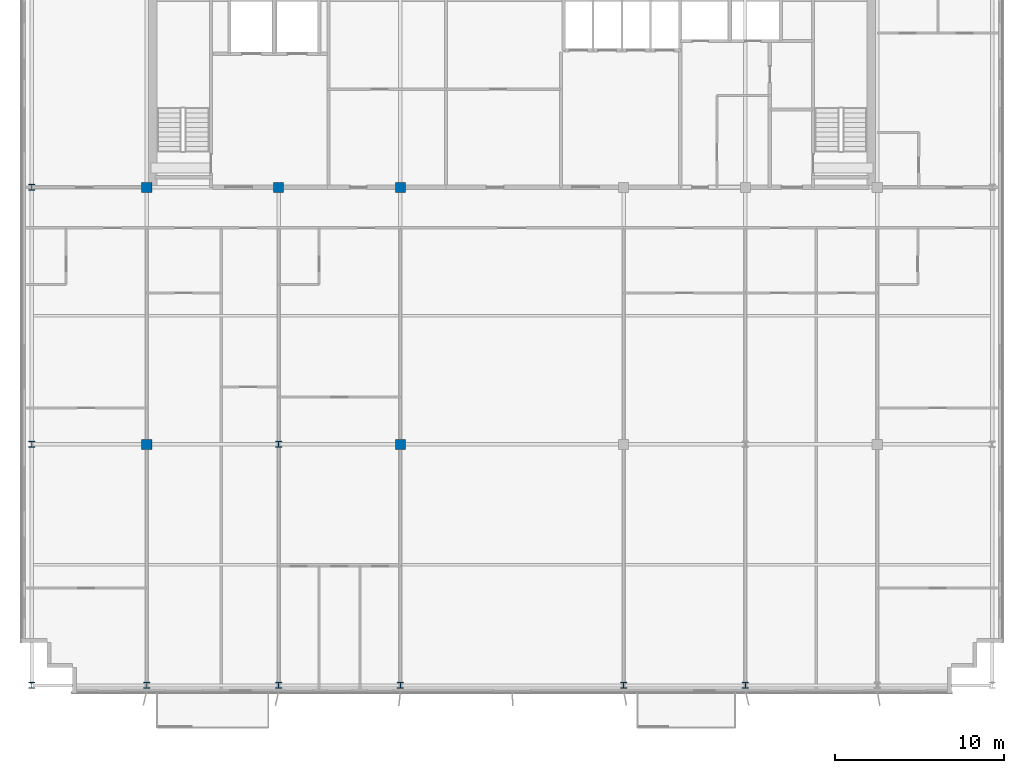
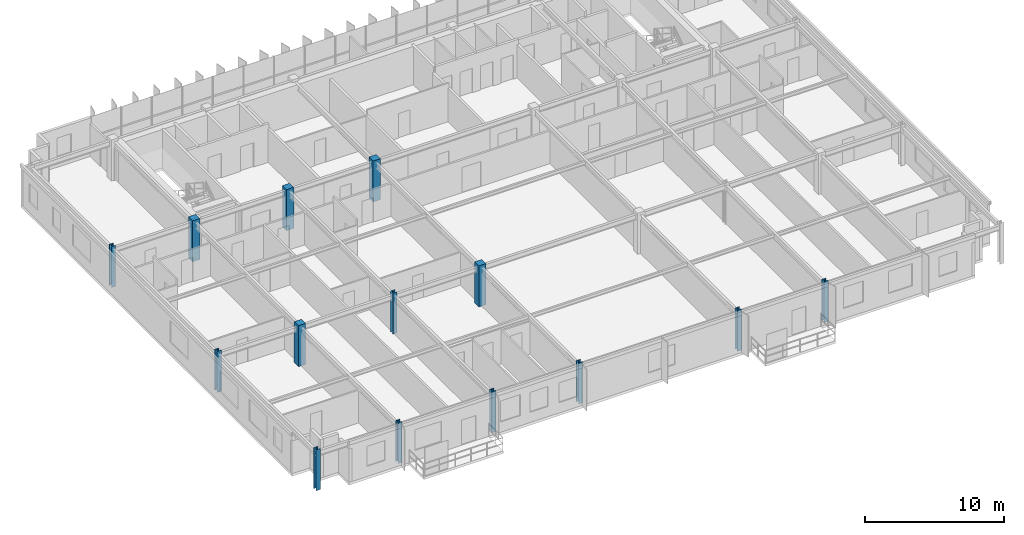
# One storey, part 1 of 22: 14 columns.
"""IFC4 building model written with IfcOpenShell, lengths in metres."""

import ifcopenshell
import ifcopenshell.guid

model = None  # the IFC model being written
_history = None  # IfcOwnerHistory: only IFC2X3 demands one
_inside = {}  # id of a spatial element -> (the spatial element, [elements in it])
_under = {}  # id of a project, library or spatial element -> (it, [spatial elements below it])
_declared = {}  # id of a project -> (the project, [libraries it declares])
_typed = {}  # id of a type object -> (the type object, [elements of that type])
_made_of = {}  # id of a material, layer set ... -> (it, [elements and type objects made of it])


def new_model(schema):
    """Start an empty IFC model of exactly this schema.

    Asked for "IFC4X3", IfcOpenShell would pick the latest addendum, in which some entities
    have other attributes; the version numbers below select the first issue.
    IFC2X3 requires an IfcOwnerHistory on every rooted entity: one is made here for all.
    """
    global model, _history
    if schema == "IFC4X3":
        model = ifcopenshell.file(schema_version=(4, 3, 0, 0))
    else:
        model = ifcopenshell.file(schema=schema)
    _inside.clear()
    _under.clear()
    _declared.clear()
    _typed.clear()
    _made_of.clear()
    _history = None
    if model.schema == "IFC2X3":
        org = make("IfcOrganization", Name="unknown")
        user = make(
            "IfcPersonAndOrganization",
            ThePerson=make("IfcPerson", FamilyName="unknown"),
            TheOrganization=org,
        )
        app = make(
            "IfcApplication",
            ApplicationDeveloper=org,
            Version="unknown",
            ApplicationFullName="unknown",
            ApplicationIdentifier="unknown",
        )
        _history = make(
            "IfcOwnerHistory",
            OwningUser=user,
            OwningApplication=app,
            ChangeAction="ADDED",
            CreationDate=0,
        )
    return model


def make(cls, **values):
    """One entity of the class cls with the attributes given. An attribute that is None is left unset."""
    return model.create_entity(
        cls, **{name: value for name, value in values.items() if value is not None}
    )


def rooted(cls, **values):
    """An entity with a GlobalId (a new one), such as an element, a storey or a relation."""
    return make(cls, GlobalId=ifcopenshell.guid.new(), OwnerHistory=_history, **values)


def si_unit(unit_type, name, prefix=None):
    """IfcSIUnit, for example si_unit("LENGTHUNIT", "METRE", prefix="MILLI")."""
    return make("IfcSIUnit", UnitType=unit_type, Prefix=prefix, Name=name)


def assignment(units):
    """IfcUnitAssignment: the units of a project."""
    return None if units is None else make("IfcUnitAssignment", Units=units)


def point(xyz):
    """IfcCartesianPoint."""
    return None if xyz is None else make("IfcCartesianPoint", Coordinates=xyz)


def direction(xyz):
    """IfcDirection."""
    return None if xyz is None else make("IfcDirection", DirectionRatios=xyz)


def frame(location, z_axis=None, x_axis=None):
    """IfcAxis2Placement3D, a coordinate frame: its origin and axes. An axis left out is left unset."""
    return make(
        "IfcAxis2Placement3D",
        Location=point(location),
        Axis=direction(z_axis),
        RefDirection=direction(x_axis),
    )


def frame_2d(location, x_axis=None):
    """IfcAxis2Placement2D, a coordinate frame in the plane: its origin and x axis."""
    return make(
        "IfcAxis2Placement2D", Location=point(location), RefDirection=direction(x_axis)
    )


def origin():
    """The frame at (0, 0, 0) with its axes left unset."""
    return frame((0.0, 0.0, 0.0))


def origin_2d():
    """The frame at (0, 0) in the plane with its x axis left unset."""
    return frame_2d((0.0, 0.0))


def place(relative_to, where):
    """IfcLocalPlacement: puts the frame where relative to a parent placement (None: the world)."""
    return make(
        "IfcLocalPlacement", PlacementRelTo=relative_to, RelativePlacement=where
    )


def context(
    kind, dimensions, precision=None, world=None, true_north=None, identifier=None
):
    """IfcGeometricRepresentationContext, for example the 3D "Model" context."""
    return make(
        "IfcGeometricRepresentationContext",
        ContextIdentifier=identifier,
        ContextType=kind,
        CoordinateSpaceDimension=dimensions,
        Precision=precision,
        WorldCoordinateSystem=world,
        TrueNorth=true_north,
    )


def subcontext(parent, identifier, kind, view, scale=None):
    """IfcGeometricRepresentationSubContext, for example "Body" below "Model"."""
    return make(
        "IfcGeometricRepresentationSubContext",
        ContextIdentifier=identifier,
        ContextType=kind,
        ParentContext=parent,
        TargetScale=scale,
        TargetView=view,
    )


def project(units=None, contexts=None):
    """IfcProject with its units and contexts."""
    return rooted(
        "IfcProject",
        Name="project",
        RepresentationContexts=contexts,
        UnitsInContext=assignment(units),
    )


def spatial(cls, under=None, at=None, **own):
    """A site, building, storey or space (cls), placed at a placement, below another one or the project."""
    s = rooted(cls, ObjectPlacement=at, **own)
    if under is not None:
        _under.setdefault(under.id(), (under, []))[1].append(s)
    return s


def profile(cls, at=None, kind="AREA", **sizes):
    """A parametric profile (cls). Its sizes go by their IFC names, for example OverallWidth=200.0."""
    return make(cls, ProfileType=kind, Position=at, **sizes)


def rectangle(**sizes):
    """IfcRectangleProfileDef."""
    return profile("IfcRectangleProfileDef", **sizes)


def i_section(**sizes):
    """IfcIShapeProfileDef."""
    return profile("IfcIShapeProfileDef", **sizes)


def extrude(swept, where, along, depth):
    """IfcExtrudedAreaSolid: the profile swept, set in the frame where, extruded along a direction by depth."""
    return make(
        "IfcExtrudedAreaSolid",
        SweptArea=swept,
        Position=where,
        ExtrudedDirection=direction(along),
        Depth=depth,
    )


def shape(context_of_items, identifier, shape_type, items):
    """IfcShapeRepresentation: the items that make up one representation, for example the "Body"."""
    return make(
        "IfcShapeRepresentation",
        ContextOfItems=context_of_items,
        RepresentationIdentifier=identifier,
        RepresentationType=shape_type,
        Items=items,
    )


def source(mapping_origin, context_of_items, identifier, shape_type, items):
    """IfcRepresentationMap: a shape defined once, which mapped items show again and again."""
    return make(
        "IfcRepresentationMap",
        MappingOrigin=mapping_origin,
        MappedRepresentation=shape(context_of_items, identifier, shape_type, items),
    )


def transform(
    local_origin,
    x_axis=None,
    y_axis=None,
    z_axis=None,
    scale=None,
    scale2=None,
    scale3=None,
    uniform=True,
):
    """IfcCartesianTransformationOperator3D, or its non-uniform kind. x_axis, y_axis, z_axis: its Axis1, 2, 3."""
    if uniform:
        return make(
            "IfcCartesianTransformationOperator3D",
            Axis1=direction(x_axis),
            Axis2=direction(y_axis),
            LocalOrigin=point(local_origin),
            Scale=scale,
            Axis3=direction(z_axis),
        )
    return make(
        "IfcCartesianTransformationOperator3DnonUniform",
        Axis1=direction(x_axis),
        Axis2=direction(y_axis),
        LocalOrigin=point(local_origin),
        Scale=scale,
        Axis3=direction(z_axis),
        Scale2=scale2,
        Scale3=scale3,
    )


def mapped(mapping_source, mapping_target):
    """IfcMappedItem: shows the shape of a source again, moved by a transform."""
    return make(
        "IfcMappedItem", MappingSource=mapping_source, MappingTarget=mapping_target
    )


def material(Name=None, Category=None):
    """IfcMaterial."""
    return make("IfcMaterial", Name=Name, Category=Category)


def material_profile(
    of_material, cross_section, Name=None, Category=None, Priority=None
):
    """IfcMaterialProfile: a cross section and its material."""
    return make(
        "IfcMaterialProfile",
        Name=Name,
        Material=of_material,
        Profile=cross_section,
        Priority=Priority,
        Category=Category,
    )


def profile_set(profiles, Name=None, composite=None):
    """IfcMaterialProfileSet."""
    return make(
        "IfcMaterialProfileSet",
        Name=Name,
        MaterialProfiles=profiles,
        CompositeProfile=composite,
    )


def made_of(thing, what):
    """Note that an element or type object is made of a material, layer set ...; save() writes the relation."""
    if what is not None:
        _made_of.setdefault(what.id(), (what, []))[1].append(thing)
    return thing


def type_object(cls, material=None, **own):
    """A type object (cls), such as IfcWallType, which elements share."""
    return made_of(rooted(cls, **own), material)


def element(
    cls,
    number,
    at=None,
    inside=None,
    cuts=None,
    type_object=None,
    material=None,
    context=None,
    identifier="Body",
    shape_type=None,
    held_by="IfcProductDefinitionShape",
    body=None,
    shapes=None,
    **own,
):
    """One element of the class cls, such as IfcWall. Its Tag is "e" and its number.

    at: its placement. inside: the storey or other place that contains it. cuts: it is an
    opening in that element (IfcRelVoidsElement). A single representation is given by context,
    identifier, shape_type and body (its items); several are given by shapes. held_by: the class
    of the entity that holds the representations. save() writes the other relations.
    """
    e = rooted(cls, Tag="e%d" % number, ObjectPlacement=at, **own)
    if body is not None:
        shapes = [shape(context, identifier, shape_type, body)]
    if shapes is not None:
        e.Representation = make(held_by, Representations=shapes)
    if inside is not None:
        _inside.setdefault(inside.id(), (inside, []))[1].append(e)
    if cuts is not None:
        rooted(
            "IfcRelVoidsElement", RelatingBuildingElement=cuts, RelatedOpeningElement=e
        )
    if type_object is not None:
        _typed.setdefault(type_object.id(), (type_object, []))[1].append(e)
    return made_of(e, material)


def aggregate(whole, parts):
    """IfcRelAggregates: a whole, such as a stair, and the parts it consists of."""
    return rooted("IfcRelAggregates", RelatingObject=whole, RelatedObjects=parts)


def save(model, path):
    """Write the relations noted so far, then the file.

    IfcRelAggregates (storeys below a building ...), IfcRelContainedInSpatialStructure (elements
    in a storey), IfcRelDefinesByType, IfcRelAssociatesMaterial and IfcRelDeclares: one each for
    every whole, place, type object, material and project.
    """
    for whole, parts in _under.values():
        aggregate(whole, parts)
    for where, things in _inside.values():
        rooted(
            "IfcRelContainedInSpatialStructure",
            RelatedElements=things,
            RelatingStructure=where,
        )
    for kind, things in _typed.values():
        rooted("IfcRelDefinesByType", RelatedObjects=things, RelatingType=kind)
    for what, things in _made_of.values():
        rooted("IfcRelAssociatesMaterial", RelatedObjects=things, RelatingMaterial=what)
    for by, libraries in _declared.values():
        rooted("IfcRelDeclares", RelatingContext=by, RelatedDefinitions=libraries)
    model.write(path)


model = new_model("IFC4")

# Units and contexts
model_context = context("Model", 3, precision=1e-05, world=origin(), true_north=direction((0.0, 1.0)))
body_context = subcontext(model_context, "Body", "Model", "MODEL_VIEW")
ifc_project = project(units=[si_unit("LENGTHUNIT", "METRE"), si_unit("AREAUNIT", "SQUARE_METRE"), si_unit("VOLUMEUNIT", "CUBIC_METRE"), si_unit("PLANEANGLEUNIT", "RADIAN"), si_unit("MASSUNIT", "GRAM", prefix="KILO")], contexts=[model_context])

# Site, building, storey
site_placement = place(None, origin())
site = spatial("IfcSite", under=ifc_project, at=site_placement, CompositionType="ELEMENT")
building_placement = place(site_placement, origin())
building = spatial("IfcBuilding", under=site, at=building_placement, Name="Trelvane Seafront Commons", CompositionType="ELEMENT")
storey_placement = place(building_placement, frame((0.0, 0.0, 277.5)))
storey = spatial("IfcBuildingStorey", under=building, at=storey_placement, Name="L72", CompositionType="ELEMENT", Elevation=277.5)

# Columns
ifc_material_1 = material(Name="Steel SM355 (S355)", Category="steel")
ifc_material_profile_1 = material_profile(ifc_material_1, i_section(OverallWidth=0.35009765625, OverallDepth=0.35009765625, WebThickness=0.01806640625, FlangeThickness=0.028076171875, at=origin_2d()), Name="HD-350x350x18x28")
ifc_profile_set_1 = profile_set([ifc_material_profile_1], Name="Steel SM355 (S355)")
column_type_1 = type_object("IfcColumnType", Name="STR-COL-HD350", PredefinedType="COLUMN", material=ifc_profile_set_1)
shared_shape_1 = source(origin(), body_context, "Body", "SweptSolid", [
    extrude(i_section(OverallWidth=0.35009765625, OverallDepth=0.35009765625, WebThickness=0.01806640625, FlangeThickness=0.028076171875, at=origin_2d()), origin(), (0.0, 0.0, 1.0), 3.60009765625),
])
for number, where, z_axis, x_axis, name in (
    (1, (8.800048828125, 3.949951171875, 0.0), (0.0, 0.0, 1.0), (1.0, 0.0, 0.0), "L72 Column TC-S8.8"),
    (2, (8.800048828125, 18.199951171875, 0.0), (0.0, 0.0, 1.0), (1.0, 0.0, 0.0), "L72 Column TC-M8.8"),
    (3, (8.800048828125, 33.39990234375, 0.0), (0.0, 0.0, 1.0), (1.0, 0.0, 0.0), "L72 Column TC-CS8.8"),
    (4, (15.60009765625, 3.949951171875, 0.0), (0.0, 0.0, 1.0), (1.0, 0.0, 0.0), "L72 Column TC-S15.6"),
    (5, (23.39990234375, 3.949951171875, 0.0), (0.0, 0.0, 1.0), (1.0, 0.0, 0.0), "L72 Column TC-S23.4"),
    (6, (23.39990234375, 18.199951171875, 0.0), (0.0, 0.0, 1.0), (1.0, 0.0, 0.0), "L72 Column TC-M23.4"),
    (7, (30.60009765625, 3.949951171875, 0.0), (0.0, 0.0, 1.0), (1.0, 0.0, 0.0), "L72 Column TC-S30.6"),
    (8, (43.800048828125, 3.949951171875, 0.0), (0.0, 0.0, 1.0), (1.0, 0.0, 0.0), "L72 Column TC-S43.8"),
    (9, (51.0, 3.949951171875, 0.0), (0.0, 0.0, 1.0), (1.0, 0.0, 0.0), "L72 Column TC-S51.0"),
):
    element("IfcColumn", number, at=place(storey_placement, frame(where, z_axis=z_axis, x_axis=x_axis)), inside=storey, type_object=column_type_1, Name=name, PredefinedType="COLUMN", context=body_context, shape_type="MappedRepresentation", body=[
        mapped(shared_shape_1, transform((0.0, 0.0, 0.0), x_axis=(1.0, 0.0, 0.0), y_axis=(0.0, 1.0, 0.0), z_axis=(0.0, 0.0, 1.0), scale=1.0)),
    ])
ifc_material_2 = material(Name="Concrete C50/60", Category="concrete")
ifc_material_profile_2 = material_profile(ifc_material_2, rectangle(XDim=0.60009765625, YDim=0.60009765625, at=origin_2d()), Name="RC-600x600")
ifc_profile_set_2 = profile_set([ifc_material_profile_2], Name="Concrete C50/60")
column_type_2 = type_object("IfcColumnType", Name="STR-COL-RC600", PredefinedType="COLUMN", material=ifc_profile_set_2)
shared_shape_2 = source(origin(), body_context, "Body", "SweptSolid", [
    extrude(rectangle(XDim=0.60009765625, YDim=0.60009765625, at=origin_2d()), origin(), (0.0, 0.0, 1.0), 3.60009765625),
])
for number, where, z_axis, x_axis, name in (
    (10, (15.60009765625, 18.199951171875, 0.0), (0.0, 0.0, 1.0), (1.0, 0.0, 0.0), "L72 Column TC-M15.6"),
    (11, (15.60009765625, 33.39990234375, 0.0), (0.0, 0.0, 1.0), (1.0, 0.0, 0.0), "L72 Column TC-CS15.6"),
    (12, (23.39990234375, 33.39990234375, 0.0), (0.0, 0.0, 1.0), (1.0, 0.0, 0.0), "L72 Column TC-CS23.4"),
    (13, (30.60009765625, 18.199951171875, 0.0), (0.0, 0.0, 1.0), (1.0, 0.0, 0.0), "L72 Column TC-M30.6"),
    (14, (30.60009765625, 33.39990234375, 0.0), (0.0, 0.0, 1.0), (1.0, 0.0, 0.0), "L72 Column TC-CS30.6"),
):
    element("IfcColumn", number, at=place(storey_placement, frame(where, z_axis=z_axis, x_axis=x_axis)), inside=storey, type_object=column_type_2, Name=name, PredefinedType="COLUMN", context=body_context, shape_type="MappedRepresentation", body=[
        mapped(shared_shape_2, transform((0.0, 0.0, 0.0), x_axis=(1.0, 0.0, 0.0), y_axis=(0.0, 1.0, 0.0), z_axis=(0.0, 0.0, 1.0), scale=1.0)),
    ])

save(model, "model.ifc")
